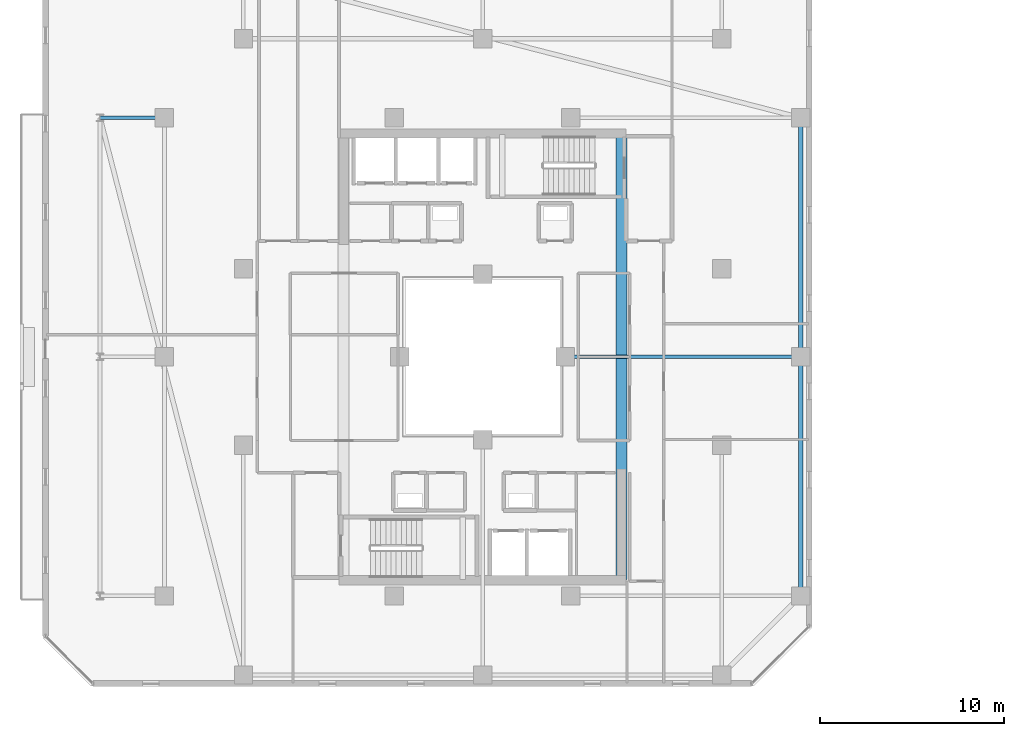
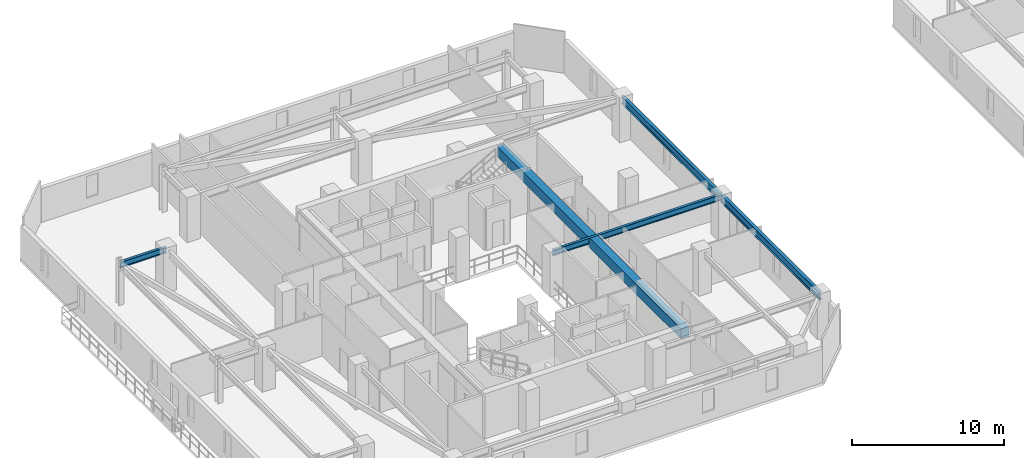
# One storey, part 6 of 33: 5 beams.
"""IFC4 building model written with IfcOpenShell, lengths in metres."""

from ifc_helpers import new_model, si_unit, direction, frame, origin, origin_2d, place, context, subcontext, project, spatial, rectangle, i_section, extrude, material, material_profile, profile_set, type_object, element, save


model = new_model("IFC4")

# Units and contexts
model_context = context("Model", 3, precision=1e-05, world=origin(), true_north=direction((0.0, 1.0)))
body_context = subcontext(model_context, "Body", "Model", "MODEL_VIEW")
ifc_project = project(units=[si_unit("LENGTHUNIT", "METRE"), si_unit("AREAUNIT", "SQUARE_METRE"), si_unit("VOLUMEUNIT", "CUBIC_METRE"), si_unit("PLANEANGLEUNIT", "RADIAN"), si_unit("MASSUNIT", "GRAM", prefix="KILO")], contexts=[model_context])

# Site, building, storey
site_placement = place(None, origin())
site = spatial("IfcSite", under=ifc_project, at=site_placement, CompositionType="ELEMENT")
building_placement = place(site_placement, origin())
building = spatial("IfcBuilding", under=site, at=building_placement, Name="Thornwick Lancets Civic Towers", CompositionType="ELEMENT")
storey_placement = place(building_placement, frame((0.0, 0.0, 214.5)))
storey = spatial("IfcBuildingStorey", under=building, at=storey_placement, Name="L57", CompositionType="ELEMENT", Elevation=214.5)

# Beams
ifc_material_1 = material(Name="Concrete C60/75", Category="concrete")
ifc_material_profile_1 = material_profile(ifc_material_1, rectangle(XDim=0.60009765625, YDim=0.800048828125, at=origin_2d()), Name="RC 600x800")
ifc_profile_set_1 = profile_set([ifc_material_profile_1], Name="Concrete C60/75")
beam_type_1 = type_object("IfcBeamType", Name="BM_COUP_RC800", PredefinedType="BEAM", material=ifc_profile_set_1)
beam_1_placement = place(storey_placement, frame((33.050048828125, 14.89990234375, 2.9599609375), z_axis=(0.0, 1.0, 0.0), x_axis=(-1.0, 0.0, 0.0)))
element("IfcBeam", 1, at=beam_1_placement, inside=storey, type_object=beam_type_1, Name="CB-L57-A1", PredefinedType="BEAM", context=body_context, shape_type="SweptSolid", body=[
    extrude(rectangle(XDim=0.60009765625, YDim=0.800048828125, at=origin_2d()), origin(), (0.0, 0.0, 1.0), 24.2001953125),
])
ifc_material_2 = material(Name="Steel S355JR", Category="steel")
ifc_material_profile_2 = material_profile(ifc_material_2, i_section(OverallWidth=0.230224609375, OverallDepth=0.6171875, WebThickness=0.01318359375, FlangeThickness=0.022216796875, FilletRadius=0.0126953125, at=origin_2d()), Name="UKB 610x229x140")
ifc_profile_set_2 = profile_set([ifc_material_profile_2], Name="Steel S355JR")
beam_type_2 = type_object("IfcBeamType", Name="BM_GIRD_610_140", PredefinedType="BEAM", material=ifc_profile_set_2)
beam_2_placement = place(storey_placement, frame((42.800048828125, 14.0, 3.051513671875), z_axis=(0.0, 1.0, 0.0), x_axis=(-1.0, 0.0, 0.0)))
element("IfcBeam", 2, at=beam_2_placement, inside=storey, type_object=beam_type_2, Name="BM-SPINE-L57-A-3-4", PredefinedType="BEAM", context=body_context, shape_type="SweptSolid", body=[
    extrude(i_section(OverallWidth=0.230224609375, OverallDepth=0.6171875, WebThickness=0.01318359375, FlangeThickness=0.022216796875, FilletRadius=0.0126953125, at=origin_2d()), origin(), (0.0, 0.0, 1.0), 13.0),
])
beam_3_placement = place(storey_placement, frame((42.800048828125, 27.080078125, 3.051513671875), z_axis=(0.0, 1.0, 0.0), x_axis=(-1.0, 0.0, 0.0)))
element("IfcBeam", 3, at=beam_3_placement, inside=storey, type_object=beam_type_2, Name="BM-SPINE-L57-A-4-5", PredefinedType="BEAM", context=body_context, shape_type="SweptSolid", body=[
    extrude(i_section(OverallWidth=0.230224609375, OverallDepth=0.6171875, WebThickness=0.01318359375, FlangeThickness=0.022216796875, FilletRadius=0.0126953125, at=origin_2d()), origin(), (0.0, 0.0, 1.0), 12.919921875),
])
ifc_material_profile_3 = material_profile(ifc_material_2, i_section(OverallWidth=0.19287109375, OverallDepth=0.46728515625, WebThickness=0.011474609375, FlangeThickness=0.01953125, FilletRadius=0.01025390625, at=origin_2d()), Name="UKB 457x191x98")
ifc_profile_set_3 = profile_set([ifc_material_profile_3], Name="Steel S355JR")
beam_type_3 = type_object("IfcBeamType", Name="BM_JOIST_457_98", PredefinedType="JOIST", material=ifc_profile_set_3)
beam_4_placement = place(storey_placement, frame((30.0, 27.0, 3.12646484375), z_axis=(1.0, 0.0, 0.0), x_axis=(0.0, 1.0, 0.0)))
element("IfcBeam", 4, at=beam_4_placement, inside=storey, type_object=beam_type_3, Name="BM-RADIN-L57-A05", PredefinedType="JOIST", context=body_context, shape_type="SweptSolid", body=[
    extrude(i_section(OverallWidth=0.19287109375, OverallDepth=0.46728515625, WebThickness=0.011474609375, FlangeThickness=0.01953125, FilletRadius=0.01025390625, at=origin_2d()), origin(), (0.0, 0.0, 1.0), 12.800048828125),
])
beam_5_placement = place(storey_placement, frame((8.199951171875, 40.0, 3.12646484375), z_axis=(-1.0, 0.0, 0.0), x_axis=(0.0, -1.0, 0.0)))
element("IfcBeam", 5, at=beam_5_placement, inside=storey, type_object=beam_type_3, Name="BM-RAD-L57-A12", PredefinedType="JOIST", context=body_context, shape_type="SweptSolid", body=[
    extrude(i_section(OverallWidth=0.19287109375, OverallDepth=0.46728515625, WebThickness=0.011474609375, FlangeThickness=0.01953125, FilletRadius=0.01025390625, at=origin_2d()), origin(), (0.0, 0.0, 1.0), 3.5),
])

save(model, "model.ifc")
